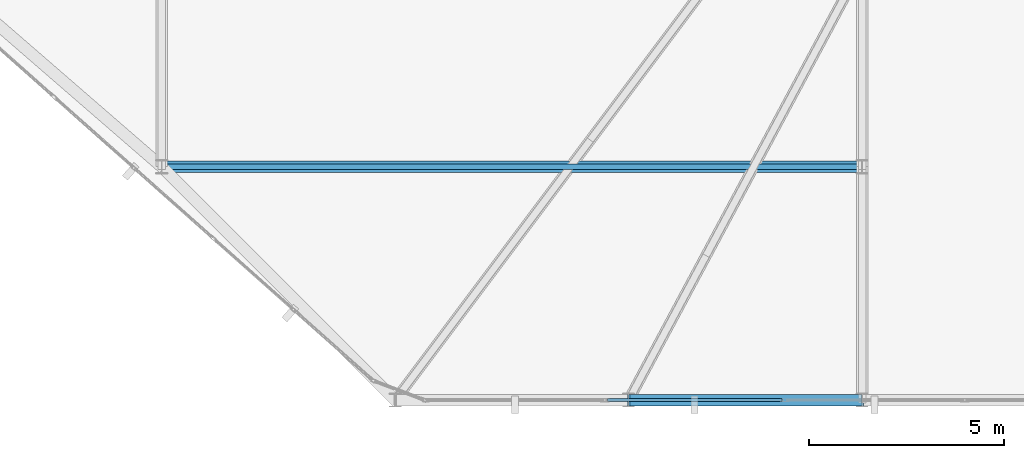
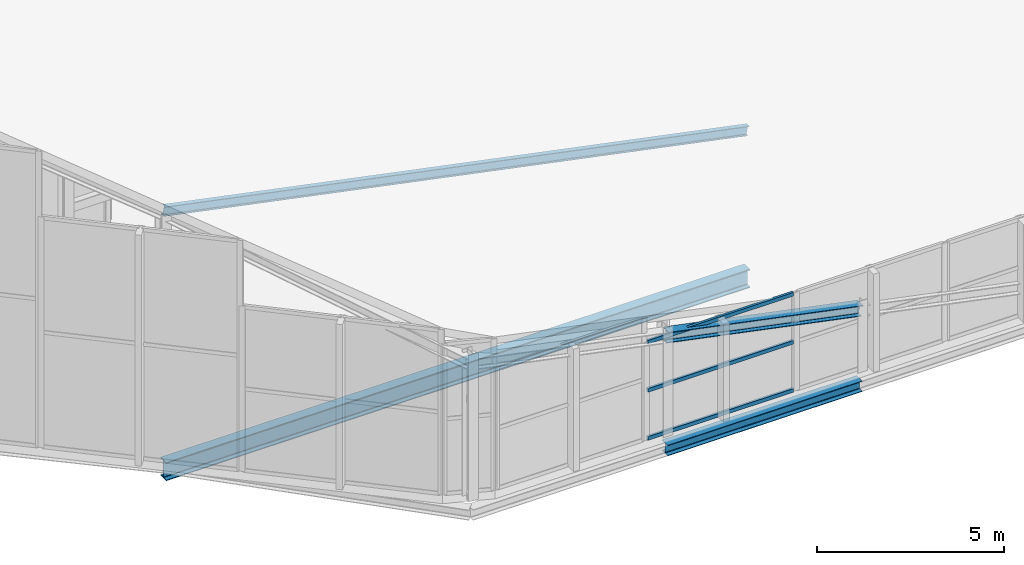
# One storey, part 9 of 74: 4 members, 3 beams, 1 element without a shape of its own.
"""IFC4 building model written with IfcOpenShell, lengths in metres."""

from ifc_helpers import new_model, si_unit, direction, frame, origin, origin_2d, place, context, subcontext, project, spatial, hollow_rectangle, i_section, extrude, material, layer, layer_set, material_profile, profile_set, type_object, element, aggregate, save


model = new_model("IFC4")

# Units and contexts
model_context = context("Model", 3, precision=1e-05, world=origin(), true_north=direction((0.0, 1.0)))
body_context = subcontext(model_context, "Body", "Model", "MODEL_VIEW")
ifc_project = project(units=[si_unit("LENGTHUNIT", "METRE"), si_unit("AREAUNIT", "SQUARE_METRE"), si_unit("VOLUMEUNIT", "CUBIC_METRE"), si_unit("PLANEANGLEUNIT", "RADIAN"), si_unit("MASSUNIT", "GRAM", prefix="KILO")], contexts=[model_context])

# Site, building, storey
site_placement = place(None, origin())
site = spatial("IfcSite", under=ifc_project, at=site_placement, CompositionType="ELEMENT")
building_placement = place(site_placement, origin())
building = spatial("IfcBuilding", under=site, at=building_placement, Name="Keshet Zoharim Tower", CompositionType="ELEMENT")
storey_placement = place(building_placement, frame((0.0, 0.0, 320.0)))
storey = spatial("IfcBuildingStorey", under=building, at=storey_placement, Name="RF", CompositionType="ELEMENT", Elevation=320.0)

# Beams
ifc_material_1 = material(Name="Steel S355", Category="steel")
ifc_material_profile_1 = material_profile(ifc_material_1, i_section(OverallWidth=0.300048828125, OverallDepth=0.60009765625, WebThickness=0.015380859375, FlangeThickness=0.030029296875, FilletRadius=0.027099609375, at=origin_2d()), Name="HEB600")
ifc_profile_set_1 = profile_set([ifc_material_profile_1], Name="Steel S355")
beam_type_1 = type_object("IfcBeamType", Name="BM-LNG-HB600", PredefinedType="BEAM", material=ifc_profile_set_1)
beam_1_placement = place(storey_placement, frame((15.0, 12.699951171875, -0.610107421875), z_axis=(1.0, 0.0, 0.0), x_axis=(0.0, 1.0, 0.0)))
element("IfcBeam", 1, at=beam_1_placement, inside=storey, type_object=beam_type_1, Name="RF Primary Girder X-004", PredefinedType="BEAM", context=body_context, shape_type="SweptSolid", body=[
    extrude(i_section(OverallWidth=0.300048828125, OverallDepth=0.60009765625, WebThickness=0.015380859375, FlangeThickness=0.030029296875, FilletRadius=0.027099609375, at=origin_2d()), origin(), (0.0, 0.0, 1.0), 18.0),
])
ifc_material_profile_2 = material_profile(ifc_material_1, i_section(OverallWidth=0.300048828125, OverallDepth=0.35009765625, WebThickness=0.010009765625, FlangeThickness=0.017578125, FilletRadius=0.027099609375, at=origin_2d()), Name="HEA360")
ifc_profile_set_2 = profile_set([ifc_material_profile_2], Name="Steel S355")
beam_type_2 = type_object("IfcBeamType", Name="BM-PRI-HA360", PredefinedType="BEAM", material=ifc_profile_set_2)
beam_2_placement = place(storey_placement, frame((27.0, 6.699951171875, -0.485107421875), z_axis=(1.0, 0.0, 0.0), x_axis=(0.0, 1.0, 0.0)))
element("IfcBeam", 2, at=beam_2_placement, inside=storey, type_object=beam_type_2, Name="RF Primary Girder X-002", PredefinedType="BEAM", context=body_context, shape_type="SweptSolid", body=[
    extrude(i_section(OverallWidth=0.300048828125, OverallDepth=0.35009765625, WebThickness=0.010009765625, FlangeThickness=0.017578125, FilletRadius=0.027099609375, at=origin_2d()), origin(), (0.0, 0.0, 1.0), 6.0),
])
ifc_material_profile_3 = material_profile(ifc_material_1, i_section(OverallWidth=0.300048828125, OverallDepth=0.340087890625, WebThickness=0.011962890625, FlangeThickness=0.021484375, FilletRadius=0.027099609375, at=origin_2d()), Name="HEB340")
ifc_profile_set_3 = profile_set([ifc_material_profile_3], Name="Steel S355")
beam_type_3 = type_object("IfcBeamType", Name="BM-SPN-HB340", PredefinedType="SPANDREL", material=ifc_profile_set_3)
beam_3_placement = place(storey_placement, frame((33.0, 6.699951171875, 1.9697265625), z_axis=(-0.979831468779, 0.0, 0.199825655986), x_axis=(0.0, -1.0, 0.0)))
element("IfcBeam", 3, at=beam_3_placement, inside=storey, type_object=beam_type_3, Name="Crown Sloped Perimeter Ring Beam 04", PredefinedType="SPANDREL", context=body_context, shape_type="SweptSolid", body=[
    extrude(i_section(OverallWidth=0.300048828125, OverallDepth=0.340087890625, WebThickness=0.011962890625, FlangeThickness=0.021484375, FilletRadius=0.027099609375, at=origin_2d()), origin(), (0.0, 0.0, 1.0), 6.12353515625),
])

# Curtain wall, members
ifc_material_2 = material(Name="Aluminium 6063-T6", Category="aluminium")
ifc_layer = layer(ifc_material_2, 0.260009765625)
ifc_layer_set = layer_set([ifc_layer], Name="Aluminium 6063-T6")
curtain_wall_type = type_object("IfcCurtainWallType", Name="CW-SYS-06", PredefinedType="NOTDEFINED", material=ifc_layer_set)
curtain_wall_placement = place(storey_placement, origin())
curtain_wall = element("IfcCurtainWall", 4, at=curtain_wall_placement, inside=storey, type_object=curtain_wall_type, Name="Slanted Crown Curtain Wall 30", PredefinedType="NOTDEFINED")
ifc_material_profile_4 = material_profile(ifc_material_2, hollow_rectangle(XDim=0.074951171875, YDim=0.1201171875, WallThickness=0.00390625, at=origin_2d()), Name="TRN-75x120")
ifc_profile_set_4 = profile_set([ifc_material_profile_4], Name="Aluminium 6063-T6")
member_type_1 = type_object("IfcMemberType", Name="CWT-T12", PredefinedType="USERDEFINED", material=ifc_profile_set_4)
member_1_placement = place(storey_placement, frame((30.946044921875, 6.699951171875, 0.032470703125), z_axis=(-1.0, 0.0, 0.0), x_axis=(0.0, -1.0, 0.0)))
member_1 = element("IfcMember", 5, at=member_1_placement, type_object=member_type_1, Name="CW-06 transom 1.1", ObjectType="TRANSOM", PredefinedType="USERDEFINED", context=body_context, shape_type="SweptSolid", body=[
    extrude(hollow_rectangle(XDim=0.074951171875, YDim=0.1201171875, WallThickness=0.00390625, at=origin_2d()), origin(), (0.0, 0.0, 1.0), 4.4951171875),
])
member_2_placement = place(storey_placement, frame((30.946044921875, 6.699951171875, 1.60009765625), z_axis=(-1.0, 0.0, 0.0), x_axis=(0.0, -1.0, 0.0)))
member_2 = element("IfcMember", 6, at=member_2_placement, type_object=member_type_1, Name="CW-06 transom 1.2", ObjectType="TRANSOM", PredefinedType="USERDEFINED", context=body_context, shape_type="SweptSolid", body=[
    extrude(hollow_rectangle(XDim=0.074951171875, YDim=0.1201171875, WallThickness=0.00390625, at=origin_2d()), origin(), (0.0, 0.0, 1.0), 4.4951171875),
])
member_3_placement = place(storey_placement, frame((30.946044921875, 6.699951171875, 3.16748046875), z_axis=(-1.0, 0.0, 0.0), x_axis=(0.0, -1.0, 0.0)))
member_3 = element("IfcMember", 7, at=member_3_placement, type_object=member_type_1, Name="CW-06 transom 1.3", ObjectType="TRANSOM", PredefinedType="USERDEFINED", context=body_context, shape_type="SweptSolid", body=[
    extrude(hollow_rectangle(XDim=0.074951171875, YDim=0.1201171875, WallThickness=0.00390625, at=origin_2d()), origin(), (0.0, 0.0, 1.0), 4.4951171875),
])
aggregate(curtain_wall, [member_1, member_2, member_3])

# Member
ifc_material_profile_5 = material_profile(ifc_material_1, i_section(OverallWidth=0.14990234375, OverallDepth=0.300048828125, WebThickness=0.007080078125, FlangeThickness=0.0107421875, FilletRadius=0.014892578125, at=origin_2d()), Name="IPE300")
ifc_profile_set_5 = profile_set([ifc_material_profile_5], Name="Steel S355")
member_type_2 = type_object("IfcMemberType", Name="MB-PUR-IP300", PredefinedType="PURLIN", material=ifc_profile_set_5)
member_4_placement = place(storey_placement, frame((15.0, 12.699951171875, 7.8203125), z_axis=(0.979826264303, 0.0, -0.19985117408), x_axis=(0.0, 1.0, 0.0)))
element("IfcMember", 8, at=member_4_placement, inside=storey, type_object=member_type_2, Name="Crown Roof Purlin 01", PredefinedType="PURLIN", context=body_context, shape_type="SweptSolid", body=[
    extrude(i_section(OverallWidth=0.14990234375, OverallDepth=0.300048828125, WebThickness=0.007080078125, FlangeThickness=0.0107421875, FilletRadius=0.014892578125, at=origin_2d()), origin(), (0.0, 0.0, 1.0), 18.37060546875),
])

save(model, "model.ifc")
